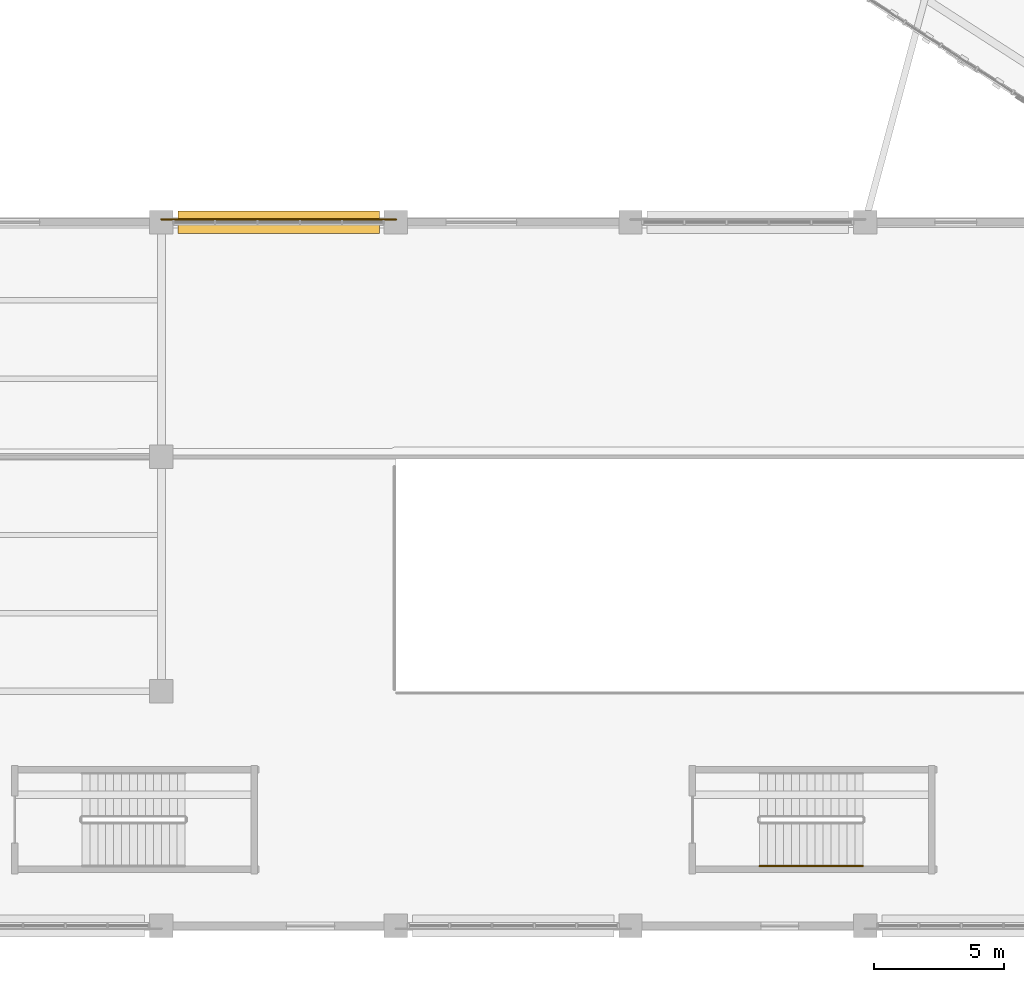
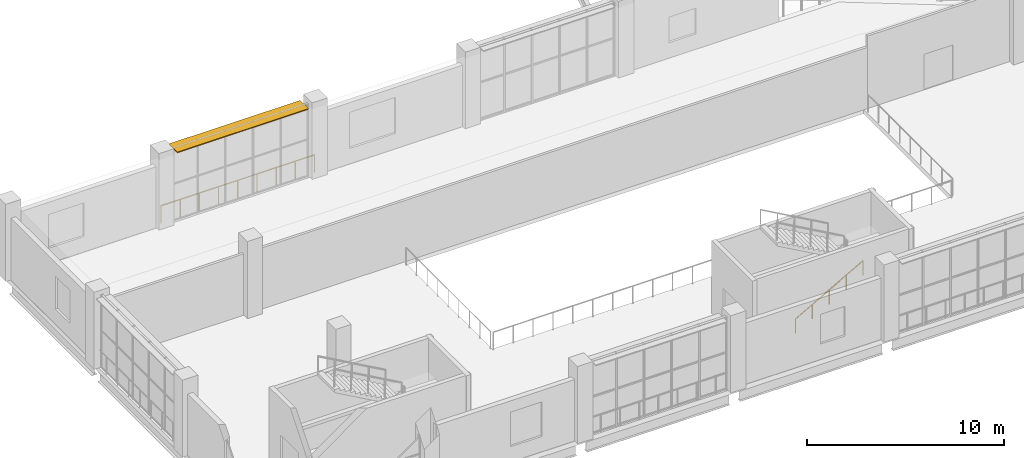
# One storey, part 126 of 183: 2 railings, 1 shading device.
"""IFC4 building model written with IfcOpenShell, lengths in metres."""

from ifc_helpers import new_model, si_unit, direction, frame, origin, origin_2d, place, context, subcontext, project, spatial, rectangle, circle, extrude, material, layer, layer_set, type_object, element, save


model = new_model("IFC4")

# Units and contexts
model_context = context("Model", 3, precision=1e-05, world=origin(), true_north=direction((0.0, 1.0)))
body_context = subcontext(model_context, "Body", "Model", "MODEL_VIEW")
ifc_project = project(units=[si_unit("LENGTHUNIT", "METRE"), si_unit("AREAUNIT", "SQUARE_METRE"), si_unit("VOLUMEUNIT", "CUBIC_METRE"), si_unit("PLANEANGLEUNIT", "RADIAN"), si_unit("MASSUNIT", "GRAM", prefix="KILO")], contexts=[model_context])

# Site, building, storey
site_placement = place(None, origin())
site = spatial("IfcSite", under=ifc_project, at=site_placement, CompositionType="ELEMENT")
building_placement = place(site_placement, origin())
building = spatial("IfcBuilding", under=site, at=building_placement, Name="Zevraka Park Crest Stadium", CompositionType="ELEMENT")
storey_placement = place(building_placement, frame((0.0, 0.0, 5.39990234375)))
storey = spatial("IfcBuildingStorey", under=building, at=storey_placement, Name="L01", CompositionType="ELEMENT", Elevation=5.39990234375)

# Railings
ifc_material_1 = material(Name="Galvanised and bronze-finished steel balustrade", Category="steel")
railing_type_1 = type_object("IfcRailingType", Name="GR01", PredefinedType="GUARDRAIL", material=ifc_material_1)
railing_1_placement = place(storey_placement, frame((17.990966796875, 27.10498046875, 0.0)))
element("IfcRailing", 1, at=railing_1_placement, inside=storey, type_object=railing_type_1, Name="Deck Edge Protection Guardrail GR01 L01-42", PredefinedType="GUARDRAIL", context=body_context, shape_type="SweptSolid", body=[
    extrude(circle(Radius=0.02392578125, at=origin_2d()), frame((0.0, 0.0, 1.076171875), z_axis=(1.0, 0.0, 0.0), x_axis=(0.0, 1.0, 0.0)), (0.0, 0.0, 1.0), 9.01806640625),
    extrude(circle(Radius=0.02099609375, at=origin_2d()), origin(), (0.0, 0.0, 1.0), 1.052001953125),
    extrude(circle(Radius=0.02099609375, at=origin_2d()), frame((1.127197265625, 0.0, 0.0)), (0.0, 0.0, 1.0), 1.052001953125),
    extrude(circle(Radius=0.02099609375, at=origin_2d()), frame((2.25439453125, 0.0, 0.0)), (0.0, 0.0, 1.0), 1.052001953125),
    extrude(circle(Radius=0.02099609375, at=origin_2d()), frame((3.3818359375, 0.0, 0.0)), (0.0, 0.0, 1.0), 1.052001953125),
    extrude(circle(Radius=0.02099609375, at=origin_2d()), frame((4.509033203125, 0.0, 0.0)), (0.0, 0.0, 1.0), 1.052001953125),
    extrude(circle(Radius=0.02099609375, at=origin_2d()), frame((5.63623046875, 0.0, 0.0)), (0.0, 0.0, 1.0), 1.052001953125),
    extrude(circle(Radius=0.02099609375, at=origin_2d()), frame((6.763671875, 0.0, 0.0)), (0.0, 0.0, 1.0), 1.052001953125),
    extrude(circle(Radius=0.02099609375, at=origin_2d()), frame((7.890869140625, 0.0, 0.0)), (0.0, 0.0, 1.0), 1.052001953125),
    extrude(circle(Radius=0.02099609375, at=origin_2d()), frame((9.01806640625, 0.0, 0.0)), (0.0, 0.0, 1.0), 1.052001953125),
])
ifc_material_2 = material(Name="Brushed stainless steel continuous handrail", Category="steel")
railing_type_2 = type_object("IfcRailingType", Name="HR01", PredefinedType="HANDRAIL", material=ifc_material_2)
railing_2_placement = place(storey_placement, frame((40.949951171875, 2.300048828125, 0.171630859375)))
element("IfcRailing", 2, at=railing_2_placement, inside=storey, type_object=railing_type_2, Name="L01 ST52 stair handrail 1", PredefinedType="HANDRAIL", context=body_context, shape_type="SweptSolid", body=[
    extrude(circle(Radius=0.02392578125, at=origin_2d()), frame((0.0, 0.0, 0.8759765625), z_axis=(0.871748933509, 0.0, 0.489952851738), x_axis=(0.0, 1.0, 0.0)), (0.0, 0.0, 1.0), 4.54833984375),
    extrude(circle(Radius=0.02099609375, at=origin_2d()), origin(), (0.0, 0.0, 1.0), 0.851806640625),
    extrude(circle(Radius=0.02099609375, at=origin_2d()), frame((0.9912109375, 0.0, 0.55712890625)), (0.0, 0.0, 1.0), 0.851806640625),
    extrude(circle(Radius=0.02099609375, at=origin_2d()), frame((1.982421875, 0.0, 1.1142578125)), (0.0, 0.0, 1.0), 0.851806640625),
    extrude(circle(Radius=0.02099609375, at=origin_2d()), frame((2.973876953125, 0.0, 1.67138671875)), (0.0, 0.0, 1.0), 0.851806640625),
    extrude(circle(Radius=0.02099609375, at=origin_2d()), frame((3.965087890625, 0.0, 2.228515625)), (0.0, 0.0, 1.0), 0.851806640625),
])

# Shading device
ifc_material_3 = material(Name="Architectural golden-bronze anodised bronze", Category="aluminium")
ifc_layer = layer(ifc_material_3, 0.06005859375)
ifc_layer_set = layer_set([ifc_layer], Name="Architectural golden-bronze anodised bronze")
shading_device_type = type_object("IfcShadingDeviceType", Name="SHD01", PredefinedType="USERDEFINED", material=ifc_layer_set)
shading_device_placement = place(storey_placement, frame((22.5, 27.0, 4.440185546875), z_axis=(0.0, 0.0, 1.0), x_axis=(1.0, 0.0, 0.0)))
element("IfcShadingDevice", 3, at=shading_device_placement, inside=storey, type_object=shading_device_type, Name="Wing Bronze Solar Screen SHD01 L01-SW-N-2", ObjectType="SOLAR SCREEN", PredefinedType="USERDEFINED", context=body_context, shape_type="SweptSolid", body=[
    extrude(rectangle(XDim=7.719970703125, YDim=0.85009765625, at=origin_2d()), origin(), (0.0, 0.0, 1.0), 0.06005859375),
])

save(model, "model.ifc")
